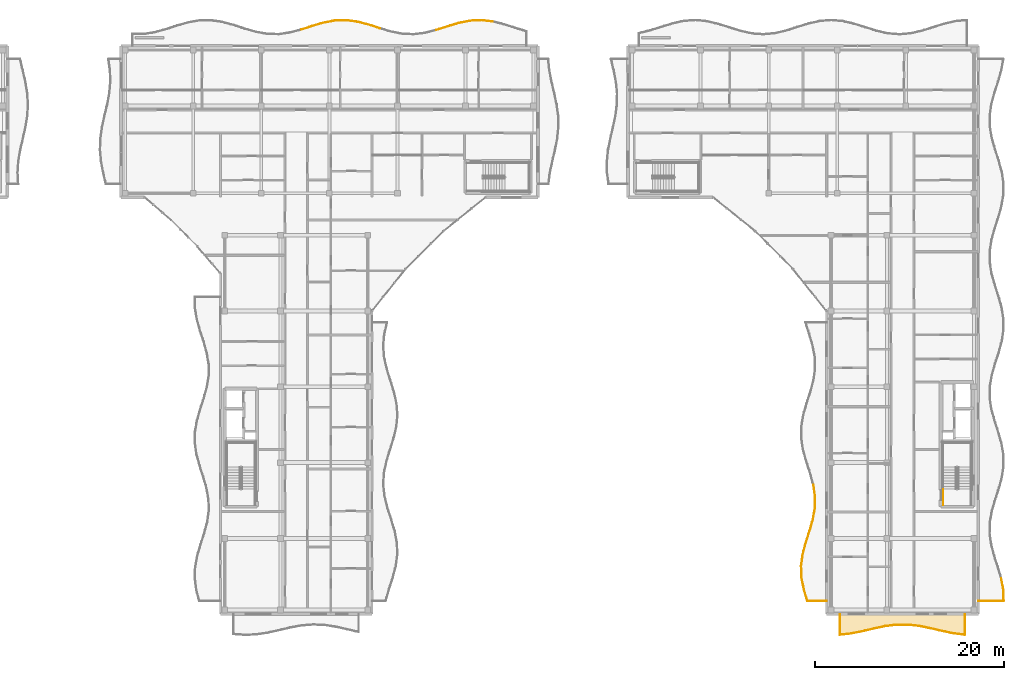
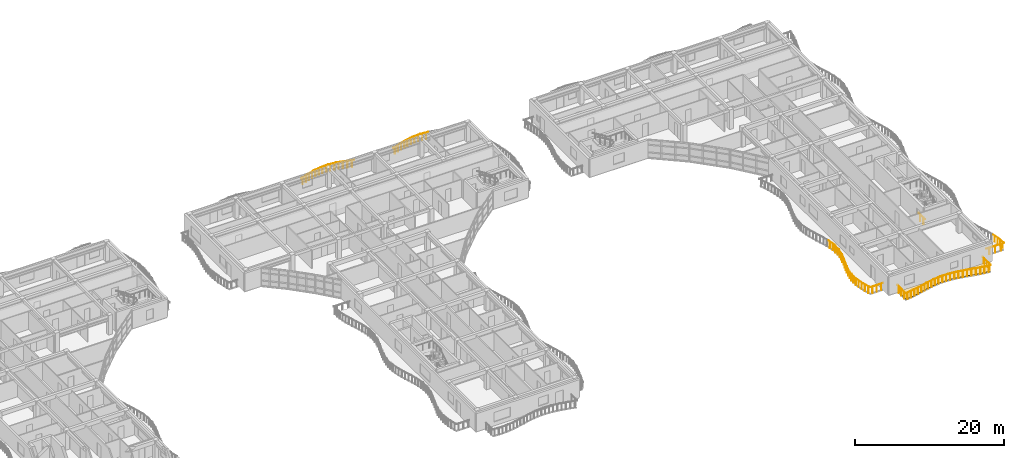
# One storey, part 66 of 72: 40 railings, 1 covering.
"""IFC4 building model written with IfcOpenShell, lengths in metres."""

from ifc_helpers import new_model, si_unit, direction, frame, origin, origin_2d, place, context, subcontext, project, spatial, polyline, circle, outline, extrude, material, layer, layer_set, type_object, element, save


model = new_model("IFC4")

# Units and contexts
model_context = context("Model", 3, precision=1e-05, world=origin(), true_north=direction((0.0, 1.0)))
body_context = subcontext(model_context, "Body", "Model", "MODEL_VIEW")
ifc_project = project(units=[si_unit("LENGTHUNIT", "METRE"), si_unit("AREAUNIT", "SQUARE_METRE"), si_unit("VOLUMEUNIT", "CUBIC_METRE"), si_unit("PLANEANGLEUNIT", "RADIAN"), si_unit("MASSUNIT", "GRAM", prefix="KILO")], contexts=[model_context])

# Site, building, storey
site_placement = place(None, origin())
site = spatial("IfcSite", under=ifc_project, at=site_placement, CompositionType="ELEMENT")
building_placement = place(site_placement, origin())
building = spatial("IfcBuilding", under=site, at=building_placement, Name="Keldmere Railside Commons", CompositionType="ELEMENT")
storey_placement = place(building_placement, frame((0.0, 0.0, 16.9599609375)))
storey = spatial("IfcBuildingStorey", under=building, at=storey_placement, Name="L05", CompositionType="ELEMENT", Elevation=16.9599609375)

# Railings
ifc_material_1 = material(Name="Steel F-24 (S235)", Category="steel")
railing_type_1 = type_object("IfcRailingType", Name="Balcony & Terrace Steel Balustrade 1100", PredefinedType="BALUSTRADE", material=ifc_material_1)
railing_1_placement = place(storey_placement, frame((112.528564453125, 117.701904296875, 0.0)))
element("IfcRailing", 1, at=railing_1_placement, inside=storey, type_object=railing_type_1, Name="GR-1 GRD-L05-2384", PredefinedType="BALUSTRADE", context=body_context, shape_type="SweptSolid", body=[
    extrude(circle(Radius=0.02392578125, at=origin_2d()), frame((0.0, 0.0, 1.076171875), z_axis=(0.951727042699, 0.306945656746, 0.0), x_axis=(-0.306945656746, 0.951727042699, 0.0)), (0.0, 0.0, 1.0), 1.248779296875),
    extrude(circle(Radius=0.02099609375, at=origin_2d()), frame((0.297119140625, 0.095703125, 0.0)), (0.0, 0.0, 1.0), 1.048095703125),
    extrude(circle(Radius=0.02099609375, at=origin_2d()), frame((0.891357421875, 0.28759765625, 0.0)), (0.0, 0.0, 1.0), 1.048095703125),
])
railing_2_placement = place(storey_placement, frame((113.717041015625, 118.085205078125, 0.0)))
element("IfcRailing", 2, at=railing_2_placement, inside=storey, type_object=railing_type_1, Name="GR-1 GRD-L05-2385", PredefinedType="BALUSTRADE", context=body_context, shape_type="SweptSolid", body=[
    extrude(circle(Radius=0.02392578125, at=origin_2d()), frame((0.0, 0.0, 1.076171875), z_axis=(0.959741295165, 0.280885468394, 0.0), x_axis=(-0.280885468394, 0.959741295165, 0.0)), (0.0, 0.0, 1.0), 1.238525390625),
    extrude(circle(Radius=0.02099609375, at=origin_2d()), frame((0.297119140625, 0.0869140625, 0.0)), (0.0, 0.0, 1.0), 1.048095703125),
    extrude(circle(Radius=0.02099609375, at=origin_2d()), frame((0.8916015625, 0.260986328125, 0.0)), (0.0, 0.0, 1.0), 1.048095703125),
])
railing_3_placement = place(storey_placement, frame((114.90576171875, 118.43310546875, 0.0)))
element("IfcRailing", 3, at=railing_3_placement, inside=storey, type_object=railing_type_1, Name="GR-1 GRD-L05-2386", PredefinedType="BALUSTRADE", context=body_context, shape_type="SweptSolid", body=[
    extrude(circle(Radius=0.02392578125, at=origin_2d()), frame((0.0, 0.0, 1.076171875), z_axis=(0.983154533796, 0.182776263986, 0.0), x_axis=(-0.182776263986, 0.983154533796, 0.0)), (0.0, 0.0, 1.0), 1.208740234375),
    extrude(circle(Radius=0.02099609375, at=origin_2d()), frame((0.297119140625, 0.05517578125, 0.0)), (0.0, 0.0, 1.0), 1.048095703125),
    extrude(circle(Radius=0.02099609375, at=origin_2d()), frame((0.891357421875, 0.165771484375, 0.0)), (0.0, 0.0, 1.0), 1.048095703125),
])
railing_4_placement = place(storey_placement, frame((116.09423828125, 118.654052734375, 0.0)))
element("IfcRailing", 4, at=railing_4_placement, inside=storey, type_object=railing_type_1, Name="GR-1 GRD-L05-2387", PredefinedType="BALUSTRADE", context=body_context, shape_type="SweptSolid", body=[
    extrude(circle(Radius=0.02392578125, at=origin_2d()), frame((0.0, 0.0, 1.076171875), z_axis=(0.999550734138, 0.029972151814, 0.0), x_axis=(-0.029972151814, 0.999550734138, 0.0)), (0.0, 0.0, 1.0), 1.189208984375),
    extrude(circle(Radius=0.02099609375, at=origin_2d()), frame((0.297119140625, 0.0087890625, 0.0)), (0.0, 0.0, 1.0), 1.048095703125),
    extrude(circle(Radius=0.02099609375, at=origin_2d()), frame((0.8916015625, 0.02685546875, 0.0)), (0.0, 0.0, 1.0), 1.048095703125),
])
railing_5_placement = place(storey_placement, frame((117.282958984375, 118.689697265625, 0.0)))
element("IfcRailing", 5, at=railing_5_placement, inside=storey, type_object=railing_type_1, Name="GR-1 GRD-L05-2388", PredefinedType="BALUSTRADE", context=body_context, shape_type="SweptSolid", body=[
    extrude(circle(Radius=0.02392578125, at=origin_2d()), frame((0.0, 0.0, 1.076171875), z_axis=(0.991176255735, -0.1325504812, 0.0), x_axis=(0.1325504812, 0.991176255735, 0.0)), (0.0, 0.0, 1.0), 1.198974609375),
    extrude(circle(Radius=0.02099609375, at=origin_2d()), frame((0.297119140625, -0.039794921875, 0.0)), (0.0, 0.0, 1.0), 1.048095703125),
    extrude(circle(Radius=0.02099609375, at=origin_2d()), frame((0.891357421875, -0.119140625, 0.0)), (0.0, 0.0, 1.0), 1.048095703125),
])
railing_6_placement = place(storey_placement, frame((118.471435546875, 118.53076171875, 0.0)))
element("IfcRailing", 6, at=railing_6_placement, inside=storey, type_object=railing_type_1, Name="GR-1 GRD-L05-2389", PredefinedType="BALUSTRADE", context=body_context, shape_type="SweptSolid", body=[
    extrude(circle(Radius=0.02392578125, at=origin_2d()), frame((0.0, 0.0, 1.076171875), z_axis=(0.967321182158, -0.253554196474, 0.0), x_axis=(0.253554196474, 0.967321182158, 0.0)), (0.0, 0.0, 1.0), 1.228515625),
    extrude(circle(Radius=0.02099609375, at=origin_2d()), frame((0.297119140625, -0.077880859375, 0.0)), (0.0, 0.0, 1.0), 1.048095703125),
    extrude(circle(Radius=0.02099609375, at=origin_2d()), frame((0.891357421875, -0.233642578125, 0.0)), (0.0, 0.0, 1.0), 1.048095703125),
])
railing_7_placement = place(storey_placement, frame((119.659912109375, 118.21923828125, 0.0)))
element("IfcRailing", 7, at=railing_7_placement, inside=storey, type_object=railing_type_1, Name="GR-1 GRD-L05-2390", PredefinedType="BALUSTRADE", context=body_context, shape_type="SweptSolid", body=[
    extrude(circle(Radius=0.02392578125, at=origin_2d()), frame((0.0, 0.0, 1.076171875), z_axis=(0.951973620287, -0.306180055323, 0.0), x_axis=(0.306180055323, 0.951973620287, 0.0)), (0.0, 0.0, 1.0), 1.248779296875),
    extrude(circle(Radius=0.02099609375, at=origin_2d()), frame((0.297119140625, -0.095703125, 0.0)), (0.0, 0.0, 1.0), 1.048095703125),
    extrude(circle(Radius=0.02099609375, at=origin_2d()), frame((0.8916015625, -0.28662109375, 0.0)), (0.0, 0.0, 1.0), 1.048095703125),
])
railing_8_placement = place(storey_placement, frame((126.79150390625, 117.659912109375, 0.0)))
element("IfcRailing", 8, at=railing_8_placement, inside=storey, type_object=railing_type_1, Name="GR-1 GRD-L05-2396", PredefinedType="BALUSTRADE", context=body_context, shape_type="SweptSolid", body=[
    extrude(circle(Radius=0.02392578125, at=origin_2d()), frame((0.0, 0.0, 1.076171875), z_axis=(0.952240001722, 0.305350583954, 0.0), x_axis=(-0.305350583954, 0.952240001722, 0.0)), (0.0, 0.0, 1.0), 1.248046875),
    extrude(circle(Radius=0.02099609375, at=origin_2d()), frame((0.297119140625, 0.09521484375, 0.0)), (0.0, 0.0, 1.0), 1.048095703125),
    extrude(circle(Radius=0.02099609375, at=origin_2d()), frame((0.891357421875, 0.285888671875, 0.0)), (0.0, 0.0, 1.0), 1.048095703125),
])
railing_9_placement = place(storey_placement, frame((127.97998046875, 118.041015625, 0.0)))
element("IfcRailing", 9, at=railing_9_placement, inside=storey, type_object=railing_type_1, Name="GR-1 GRD-L05-2397", PredefinedType="BALUSTRADE", context=body_context, shape_type="SweptSolid", body=[
    extrude(circle(Radius=0.02392578125, at=origin_2d()), frame((0.0, 0.0, 1.076171875), z_axis=(0.957755875859, 0.287582479052, 0.0), x_axis=(-0.287582479052, 0.957755875859, 0.0)), (0.0, 0.0, 1.0), 1.2412109375),
    extrude(circle(Radius=0.02099609375, at=origin_2d()), frame((0.297119140625, 0.08935546875, 0.0)), (0.0, 0.0, 1.0), 1.048095703125),
    extrude(circle(Radius=0.02099609375, at=origin_2d()), frame((0.8916015625, 0.267578125, 0.0)), (0.0, 0.0, 1.0), 1.048095703125),
])
railing_10_placement = place(storey_placement, frame((129.168701171875, 118.39794921875, 0.0)))
element("IfcRailing", 10, at=railing_10_placement, inside=storey, type_object=railing_type_1, Name="GR-1 GRD-L05-2398", PredefinedType="BALUSTRADE", context=body_context, shape_type="SweptSolid", body=[
    extrude(circle(Radius=0.02392578125, at=origin_2d()), frame((0.0, 0.0, 1.076171875), z_axis=(0.980332036679, 0.197355258, 0.0), x_axis=(-0.197355258, 0.980332036679, 0.0)), (0.0, 0.0, 1.0), 1.21240234375),
    extrude(circle(Radius=0.02099609375, at=origin_2d()), frame((0.297119140625, 0.059814453125, 0.0)), (0.0, 0.0, 1.0), 1.048095703125),
    extrude(circle(Radius=0.02099609375, at=origin_2d()), frame((0.891357421875, 0.179443359375, 0.0)), (0.0, 0.0, 1.0), 1.048095703125),
])
railing_11_placement = place(storey_placement, frame((130.357177734375, 118.63720703125, 0.0)))
element("IfcRailing", 11, at=railing_11_placement, inside=storey, type_object=railing_type_1, Name="GR-1 GRD-L05-2399", PredefinedType="BALUSTRADE", context=body_context, shape_type="SweptSolid", body=[
    extrude(circle(Radius=0.02392578125, at=origin_2d()), frame((0.0, 0.0, 1.076171875), z_axis=(0.998786889064, 0.049241752953, 0.0), x_axis=(-0.049241752953, 0.998786889064, 0.0)), (0.0, 0.0, 1.0), 1.18994140625),
    extrude(circle(Radius=0.02099609375, at=origin_2d()), frame((0.297119140625, 0.0146484375, 0.0)), (0.0, 0.0, 1.0), 1.048095703125),
    extrude(circle(Radius=0.02099609375, at=origin_2d()), frame((0.891357421875, 0.0439453125, 0.0)), (0.0, 0.0, 1.0), 1.048095703125),
])
railing_12_placement = place(storey_placement, frame((131.545654296875, 118.69580078125, 0.0)))
element("IfcRailing", 12, at=railing_12_placement, inside=storey, type_object=railing_type_1, Name="GR-1 GRD-L05-2400", PredefinedType="BALUSTRADE", context=body_context, shape_type="SweptSolid", body=[
    extrude(circle(Radius=0.02392578125, at=origin_2d()), frame((0.0, 0.0, 1.076171875), z_axis=(0.993357908065, -0.11506548781, 0.0), x_axis=(0.11506548781, 0.993357908065, 0.0)), (0.0, 0.0, 1.0), 1.19677734375),
    extrude(circle(Radius=0.02099609375, at=origin_2d()), frame((0.297119140625, -0.034423828125, 0.0)), (0.0, 0.0, 1.0), 1.048095703125),
    extrude(circle(Radius=0.02099609375, at=origin_2d()), frame((0.8916015625, -0.103271484375, 0.0)), (0.0, 0.0, 1.0), 1.048095703125),
])
railing_13_placement = place(storey_placement, frame((168.0, 57.39990234375, 0.0)))
element("IfcRailing", 13, at=railing_13_placement, inside=storey, type_object=railing_type_1, Name="GR-1 GRD-L05-3719", PredefinedType="BALUSTRADE", context=body_context, shape_type="SweptSolid", body=[
    extrude(circle(Radius=0.02392578125, at=origin_2d()), frame((0.0, 0.0, 1.076171875), z_axis=(-1.0, 0.0, 0.0), x_axis=(0.0, -1.0, 0.0)), (0.0, 0.0, 1.0), 2.037353515625),
    extrude(circle(Radius=0.02099609375, at=origin_2d()), frame((-0.339599609375, 0.0, 0.0)), (0.0, 0.0, 1.0), 1.048095703125),
    extrude(circle(Radius=0.02099609375, at=origin_2d()), frame((-1.0185546875, 0.0, 0.0)), (0.0, 0.0, 1.0), 1.048095703125),
    extrude(circle(Radius=0.02099609375, at=origin_2d()), frame((-1.69775390625, 0.0, 0.0)), (0.0, 0.0, 1.0), 1.048095703125),
])
railing_14_placement = place(storey_placement, frame((165.962646484375, 57.39990234375, 0.0)))
element("IfcRailing", 14, at=railing_14_placement, inside=storey, type_object=railing_type_1, Name="GR-1 GRD-L05-3720", PredefinedType="BALUSTRADE", context=body_context, shape_type="SweptSolid", body=[
    extrude(circle(Radius=0.02392578125, at=origin_2d()), frame((0.0, 0.0, 1.076171875), z_axis=(-0.287277836254, 0.957847297223, 0.0), x_axis=(-0.957847297223, -0.287277836254, 0.0)), (0.0, 0.0, 1.0), 1.279052734375),
    extrude(circle(Radius=0.02099609375, at=origin_2d()), frame((-0.091796875, 0.30615234375, 0.0)), (0.0, 0.0, 1.0), 1.048095703125),
    extrude(circle(Radius=0.02099609375, at=origin_2d()), frame((-0.275634765625, 0.9189453125, 0.0)), (0.0, 0.0, 1.0), 1.048095703125),
])
railing_15_placement = place(storey_placement, frame((165.59521484375, 58.625, 0.0)))
element("IfcRailing", 15, at=railing_15_placement, inside=storey, type_object=railing_type_1, Name="GR-1 GRD-L05-3721", PredefinedType="BALUSTRADE", context=body_context, shape_type="SweptSolid", body=[
    extrude(circle(Radius=0.02392578125, at=origin_2d()), frame((0.0, 0.0, 1.076171875), z_axis=(-0.192429230734, 0.981310853481, 0.0), x_axis=(-0.981310853481, -0.192429230734, 0.0)), (0.0, 0.0, 1.0), 1.24853515625),
    extrude(circle(Radius=0.02099609375, at=origin_2d()), frame((-0.06005859375, 0.30615234375, 0.0)), (0.0, 0.0, 1.0), 1.048095703125),
    extrude(circle(Radius=0.02099609375, at=origin_2d()), frame((-0.18017578125, 0.9189453125, 0.0)), (0.0, 0.0, 1.0), 1.048095703125),
])
railing_16_placement = place(storey_placement, frame((165.35498046875, 59.85009765625, 0.0)))
element("IfcRailing", 16, at=railing_16_placement, inside=storey, type_object=railing_type_1, Name="GR-1 GRD-L05-3722", PredefinedType="BALUSTRADE", context=body_context, shape_type="SweptSolid", body=[
    extrude(circle(Radius=0.02392578125, at=origin_2d()), frame((0.0, 0.0, 1.076171875), z_axis=(-0.038043000932, 0.999276103027, 0.0), x_axis=(-0.999276103027, -0.038043000932, 0.0)), (0.0, 0.0, 1.0), 1.225830078125),
    extrude(circle(Radius=0.02099609375, at=origin_2d()), frame((-0.01171875, 0.30615234375, 0.0)), (0.0, 0.0, 1.0), 1.048095703125),
    extrude(circle(Radius=0.02099609375, at=origin_2d()), frame((-0.034912109375, 0.918701171875, 0.0)), (0.0, 0.0, 1.0), 1.048095703125),
])
railing_17_placement = place(storey_placement, frame((165.308349609375, 61.074951171875, 0.0)))
element("IfcRailing", 17, at=railing_17_placement, inside=storey, type_object=railing_type_1, Name="GR-1 GRD-L05-3723", PredefinedType="BALUSTRADE", context=body_context, shape_type="SweptSolid", body=[
    extrude(circle(Radius=0.02392578125, at=origin_2d()), frame((0.0, 0.0, 1.076171875), z_axis=(0.12982067171, 0.991537489557, 0.0), x_axis=(-0.991537489557, 0.12982067171, 0.0)), (0.0, 0.0, 1.0), 1.235595703125),
    extrude(circle(Radius=0.02099609375, at=origin_2d()), frame((0.0400390625, 0.30615234375, 0.0)), (0.0, 0.0, 1.0), 1.048095703125),
    extrude(circle(Radius=0.02099609375, at=origin_2d()), frame((0.120361328125, 0.9189453125, 0.0)), (0.0, 0.0, 1.0), 1.048095703125),
])
railing_18_placement = place(storey_placement, frame((165.46875, 62.300048828125, 0.0)))
element("IfcRailing", 18, at=railing_18_placement, inside=storey, type_object=railing_type_1, Name="GR-1 GRD-L05-3724", PredefinedType="BALUSTRADE", context=body_context, shape_type="SweptSolid", body=[
    extrude(circle(Radius=0.02392578125, at=origin_2d()), frame((0.0, 0.0, 1.076171875), z_axis=(0.254626126361, 0.967039573014, 0.0), x_axis=(-0.967039573014, 0.254626126361, 0.0)), (0.0, 0.0, 1.0), 1.2666015625),
    extrude(circle(Radius=0.02099609375, at=origin_2d()), frame((0.08056640625, 0.30615234375, 0.0)), (0.0, 0.0, 1.0), 1.048095703125),
    extrude(circle(Radius=0.02099609375, at=origin_2d()), frame((0.241943359375, 0.918701171875, 0.0)), (0.0, 0.0, 1.0), 1.048095703125),
])
railing_19_placement = place(storey_placement, frame((165.791259765625, 63.52490234375, 0.0)))
element("IfcRailing", 19, at=railing_19_placement, inside=storey, type_object=railing_type_1, Name="GR-1 GRD-L05-3725", PredefinedType="BALUSTRADE", context=body_context, shape_type="SweptSolid", body=[
    extrude(circle(Radius=0.02392578125, at=origin_2d()), frame((0.0, 0.0, 1.076171875), z_axis=(0.30653719203, 0.951858681687, 0.0), x_axis=(-0.951858681687, 0.30653719203, 0.0)), (0.0, 0.0, 1.0), 1.287109375),
    extrude(circle(Radius=0.02099609375, at=origin_2d()), frame((0.0986328125, 0.30615234375, 0.0)), (0.0, 0.0, 1.0), 1.048095703125),
    extrude(circle(Radius=0.02099609375, at=origin_2d()), frame((0.2958984375, 0.9189453125, 0.0)), (0.0, 0.0, 1.0), 1.048095703125),
])
railing_20_placement = place(storey_placement, frame((166.185791015625, 64.75, 0.0)))
element("IfcRailing", 20, at=railing_20_placement, inside=storey, type_object=railing_type_1, Name="GR-1 GRD-L05-3726", PredefinedType="BALUSTRADE", context=body_context, shape_type="SweptSolid", body=[
    extrude(circle(Radius=0.02392578125, at=origin_2d()), frame((0.0, 0.0, 1.076171875), z_axis=(0.279720803073, 0.960081388387, 0.0), x_axis=(-0.960081388387, 0.279720803073, 0.0)), (0.0, 0.0, 1.0), 1.276123046875),
    extrude(circle(Radius=0.02099609375, at=origin_2d()), frame((0.08935546875, 0.30615234375, 0.0)), (0.0, 0.0, 1.0), 1.048095703125),
    extrude(circle(Radius=0.02099609375, at=origin_2d()), frame((0.267578125, 0.9189453125, 0.0)), (0.0, 0.0, 1.0), 1.048095703125),
])
railing_21_placement = place(storey_placement, frame((166.542724609375, 65.97509765625, 0.0)))
element("IfcRailing", 21, at=railing_21_placement, inside=storey, type_object=railing_type_1, Name="GR-1 GRD-L05-3727", PredefinedType="BALUSTRADE", context=body_context, shape_type="SweptSolid", body=[
    extrude(circle(Radius=0.02392578125, at=origin_2d()), frame((0.0, 0.0, 1.076171875), z_axis=(0.176191278024, 0.984355948602, 0.0), x_axis=(-0.984355948602, 0.176191278024, 0.0)), (0.0, 0.0, 1.0), 1.244384765625),
    extrude(circle(Radius=0.02099609375, at=origin_2d()), frame((0.0546875, 0.30615234375, 0.0)), (0.0, 0.0, 1.0), 1.048095703125),
    extrude(circle(Radius=0.02099609375, at=origin_2d()), frame((0.16455078125, 0.918701171875, 0.0)), (0.0, 0.0, 1.0), 1.048095703125),
])
railing_22_placement = place(storey_placement, frame((166.761962890625, 67.199951171875, 0.0)))
element("IfcRailing", 22, at=railing_22_placement, inside=storey, type_object=railing_type_1, Name="GR-1 GRD-L05-3728", PredefinedType="BALUSTRADE", context=body_context, shape_type="SweptSolid", body=[
    extrude(circle(Radius=0.02392578125, at=origin_2d()), frame((0.0, 0.0, 1.076171875), z_axis=(0.016936589893, 0.999856565675, 0.0), x_axis=(-0.999856565675, 0.016936589893, 0.0)), (0.0, 0.0, 1.0), 1.225341796875),
    extrude(circle(Radius=0.02099609375, at=origin_2d()), frame((0.005126953125, 0.30615234375, 0.0)), (0.0, 0.0, 1.0), 1.048095703125),
    extrude(circle(Radius=0.02099609375, at=origin_2d()), frame((0.015625, 0.9189453125, 0.0)), (0.0, 0.0, 1.0), 1.048095703125),
])
railing_23_placement = place(storey_placement, frame((166.78271484375, 68.425048828125, 0.0)))
element("IfcRailing", 23, at=railing_23_placement, inside=storey, type_object=railing_type_1, Name="GR-1 GRD-L05-3729", PredefinedType="BALUSTRADE", context=body_context, shape_type="SweptSolid", body=[
    extrude(circle(Radius=0.02392578125, at=origin_2d()), frame((0.0, 0.0, 1.076171875), z_axis=(-0.14823442163, 0.988952251751, 0.0), x_axis=(-0.988952251751, -0.14823442163, 0.0)), (0.0, 0.0, 1.0), 1.238525390625),
    extrude(circle(Radius=0.02099609375, at=origin_2d()), frame((-0.0458984375, 0.30615234375, 0.0)), (0.0, 0.0, 1.0), 1.048095703125),
    extrude(circle(Radius=0.02099609375, at=origin_2d()), frame((-0.1376953125, 0.918701171875, 0.0)), (0.0, 0.0, 1.0), 1.048095703125),
])
railing_24_placement = place(storey_placement, frame((184.0, 57.39990234375, 0.0)))
element("IfcRailing", 24, at=railing_24_placement, inside=storey, type_object=railing_type_1, Name="GR-1 GRD-L05-3745", PredefinedType="BALUSTRADE", context=body_context, shape_type="SweptSolid", body=[
    extrude(circle(Radius=0.02392578125, at=origin_2d()), frame((0.0, 0.0, 1.076171875), z_axis=(1.0, 0.0, 0.0), x_axis=(0.0, 1.0, 0.0)), (0.0, 0.0, 1.0), 2.691162109375),
    extrude(circle(Radius=0.02099609375, at=origin_2d()), frame((0.448486328125, 0.0, 0.0)), (0.0, 0.0, 1.0), 1.048095703125),
    extrude(circle(Radius=0.02099609375, at=origin_2d()), frame((1.345703125, 0.0, 0.0)), (0.0, 0.0, 1.0), 1.048095703125),
    extrude(circle(Radius=0.02099609375, at=origin_2d()), frame((2.24267578125, 0.0, 0.0)), (0.0, 0.0, 1.0), 1.048095703125),
])
railing_25_placement = place(storey_placement, frame((186.691162109375, 57.39990234375, 0.0)))
element("IfcRailing", 25, at=railing_25_placement, inside=storey, type_object=railing_type_1, Name="GR-1 GRD-L05-3746", PredefinedType="BALUSTRADE", context=body_context, shape_type="SweptSolid", body=[
    extrude(circle(Radius=0.02392578125, at=origin_2d()), frame((0.0, 0.0, 1.076171875), z_axis=(-0.034187296, 0.999415443543, 0.0), x_axis=(-0.999415443543, -0.034187296, 0.0)), (0.0, 0.0, 1.0), 1.192626953125),
    extrude(circle(Radius=0.02099609375, at=origin_2d()), frame((-0.01025390625, 0.2978515625, 0.0)), (0.0, 0.0, 1.0), 1.048095703125),
    extrude(circle(Radius=0.02099609375, at=origin_2d()), frame((-0.030517578125, 0.89404296875, 0.0)), (0.0, 0.0, 1.0), 1.048095703125),
])
railing_26_placement = place(storey_placement, frame((186.650390625, 58.591796875, 0.0)))
element("IfcRailing", 26, at=railing_26_placement, inside=storey, type_object=railing_type_1, Name="GR-1 GRD-L05-3747", PredefinedType="BALUSTRADE", context=body_context, shape_type="SweptSolid", body=[
    extrude(circle(Radius=0.02392578125, at=origin_2d()), frame((0.0, 0.0, 1.076171875), z_axis=(-0.186427467445, 0.982468726923, 0.0), x_axis=(-0.982468726923, -0.186427467445, 0.0)), (0.0, 0.0, 1.0), 1.212646484375),
    extrude(circle(Radius=0.02099609375, at=origin_2d()), frame((-0.056640625, 0.2978515625, 0.0)), (0.0, 0.0, 1.0), 1.048095703125),
    extrude(circle(Radius=0.02099609375, at=origin_2d()), frame((-0.16943359375, 0.8935546875, 0.0)), (0.0, 0.0, 1.0), 1.048095703125),
])
railing_27_placement = place(storey_placement, frame((169.39990234375, 56.0, 0.0)))
element("IfcRailing", 27, at=railing_27_placement, inside=storey, type_object=railing_type_1, Name="GR-1 GRD-L05-3808", PredefinedType="BALUSTRADE", context=body_context, shape_type="SweptSolid", body=[
    extrude(circle(Radius=0.02392578125, at=origin_2d()), frame((0.0, 0.0, 1.076171875), z_axis=(0.0, -1.0, 0.0), x_axis=(1.0, 0.0, 0.0)), (0.0, 0.0, 1.0), 2.183349609375),
    extrude(circle(Radius=0.02099609375, at=origin_2d()), frame((0.0, -0.36376953125, 0.0)), (0.0, 0.0, 1.0), 1.048095703125),
    extrude(circle(Radius=0.02099609375, at=origin_2d()), frame((0.0, -1.091796875, 0.0)), (0.0, 0.0, 1.0), 1.048095703125),
    extrude(circle(Radius=0.02099609375, at=origin_2d()), frame((0.0, -1.8193359375, 0.0)), (0.0, 0.0, 1.0), 1.048095703125),
])
railing_28_placement = place(storey_placement, frame((169.39990234375, 53.816650390625, 0.0)))
element("IfcRailing", 28, at=railing_28_placement, inside=storey, type_object=railing_type_1, Name="GR-1 GRD-L05-3809", PredefinedType="BALUSTRADE", context=body_context, shape_type="SweptSolid", body=[
    extrude(circle(Radius=0.02392578125, at=origin_2d()), frame((0.0, 0.0, 1.076171875), z_axis=(0.993414244878, 0.114578087235, 0.0), x_axis=(-0.114578087235, 0.993414244878, 0.0)), (0.0, 0.0, 1.0), 1.208251953125),
    extrude(circle(Radius=0.02099609375, at=origin_2d()), frame((0.300048828125, 0.03466796875, 0.0)), (0.0, 0.0, 1.0), 1.048095703125),
    extrude(circle(Radius=0.02099609375, at=origin_2d()), frame((0.900146484375, 0.103759765625, 0.0)), (0.0, 0.0, 1.0), 1.048095703125),
])
railing_29_placement = place(storey_placement, frame((170.60009765625, 53.955078125, 0.0)))
element("IfcRailing", 29, at=railing_29_placement, inside=storey, type_object=railing_type_1, Name="GR-1 GRD-L05-3810", PredefinedType="BALUSTRADE", context=body_context, shape_type="SweptSolid", body=[
    extrude(circle(Radius=0.02392578125, at=origin_2d()), frame((0.0, 0.0, 1.076171875), z_axis=(0.979923460188, 0.199374050903, 0.0), x_axis=(-0.199374050903, 0.979923460188, 0.0)), (0.0, 0.0, 1.0), 1.224609375),
    extrude(circle(Radius=0.02099609375, at=origin_2d()), frame((0.300048828125, 0.06103515625, 0.0)), (0.0, 0.0, 1.0), 1.048095703125),
    extrude(circle(Radius=0.02099609375, at=origin_2d()), frame((0.89990234375, 0.18310546875, 0.0)), (0.0, 0.0, 1.0), 1.048095703125),
])
railing_30_placement = place(storey_placement, frame((171.800048828125, 54.19921875, 0.0)))
element("IfcRailing", 30, at=railing_30_placement, inside=storey, type_object=railing_type_1, Name="GR-1 GRD-L05-3811", PredefinedType="BALUSTRADE", context=body_context, shape_type="SweptSolid", body=[
    extrude(circle(Radius=0.02392578125, at=origin_2d()), frame((0.0, 0.0, 1.076171875), z_axis=(0.97299493391, 0.230826468553, 0.0), x_axis=(-0.230826468553, 0.97299493391, 0.0)), (0.0, 0.0, 1.0), 1.233154296875),
    extrude(circle(Radius=0.02099609375, at=origin_2d()), frame((0.300048828125, 0.0712890625, 0.0)), (0.0, 0.0, 1.0), 1.048095703125),
    extrude(circle(Radius=0.02099609375, at=origin_2d()), frame((0.89990234375, 0.21337890625, 0.0)), (0.0, 0.0, 1.0), 1.048095703125),
])
railing_31_placement = place(storey_placement, frame((173.0, 54.48388671875, 0.0)))
element("IfcRailing", 31, at=railing_31_placement, inside=storey, type_object=railing_type_1, Name="GR-1 GRD-L05-3812", PredefinedType="BALUSTRADE", context=body_context, shape_type="SweptSolid", body=[
    extrude(circle(Radius=0.02392578125, at=origin_2d()), frame((0.0, 0.0, 1.076171875), z_axis=(0.979177195286, 0.20300743886, 0.0), x_axis=(-0.20300743886, 0.979177195286, 0.0)), (0.0, 0.0, 1.0), 1.2255859375),
    extrude(circle(Radius=0.02099609375, at=origin_2d()), frame((0.300048828125, 0.062255859375, 0.0)), (0.0, 0.0, 1.0), 1.048095703125),
    extrude(circle(Radius=0.02099609375, at=origin_2d()), frame((0.89990234375, 0.1865234375, 0.0)), (0.0, 0.0, 1.0), 1.048095703125),
])
railing_32_placement = place(storey_placement, frame((174.199951171875, 54.732666015625, 0.0)))
element("IfcRailing", 32, at=railing_32_placement, inside=storey, type_object=railing_type_1, Name="GR-1 GRD-L05-3813", PredefinedType="BALUSTRADE", context=body_context, shape_type="SweptSolid", body=[
    extrude(circle(Radius=0.02392578125, at=origin_2d()), frame((0.0, 0.0, 1.076171875), z_axis=(0.992655345296, 0.120976714513, 0.0), x_axis=(-0.120976714513, 0.992655345296, 0.0)), (0.0, 0.0, 1.0), 1.208740234375),
    extrude(circle(Radius=0.02099609375, at=origin_2d()), frame((0.300048828125, 0.03662109375, 0.0)), (0.0, 0.0, 1.0), 1.048095703125),
    extrude(circle(Radius=0.02099609375, at=origin_2d()), frame((0.89990234375, 0.109619140625, 0.0)), (0.0, 0.0, 1.0), 1.048095703125),
])
railing_33_placement = place(storey_placement, frame((175.39990234375, 54.87890625, 0.0)))
element("IfcRailing", 33, at=railing_33_placement, inside=storey, type_object=railing_type_1, Name="GR-1 GRD-L05-3814", PredefinedType="BALUSTRADE", context=body_context, shape_type="SweptSolid", body=[
    extrude(circle(Radius=0.02392578125, at=origin_2d()), frame((0.0, 0.0, 1.076171875), z_axis=(0.999993296727, 0.003661488881, 0.0), x_axis=(-0.003661488881, 0.999993296727, 0.0)), (0.0, 0.0, 1.0), 1.2001953125),
    extrude(circle(Radius=0.02099609375, at=origin_2d()), frame((0.300048828125, 0.0009765625, 0.0)), (0.0, 0.0, 1.0), 1.048095703125),
    extrude(circle(Radius=0.02099609375, at=origin_2d()), frame((0.900146484375, 0.00341796875, 0.0)), (0.0, 0.0, 1.0), 1.048095703125),
])
railing_34_placement = place(storey_placement, frame((176.60009765625, 54.88330078125, 0.0)))
element("IfcRailing", 34, at=railing_34_placement, inside=storey, type_object=railing_type_1, Name="GR-1 GRD-L05-3815", PredefinedType="BALUSTRADE", context=body_context, shape_type="SweptSolid", body=[
    extrude(circle(Radius=0.02392578125, at=origin_2d()), frame((0.0, 0.0, 1.076171875), z_axis=(0.993434582055, -0.114401622267, 0.0), x_axis=(0.114401622267, 0.993434582055, 0.0)), (0.0, 0.0, 1.0), 1.207763671875),
    extrude(circle(Radius=0.02099609375, at=origin_2d()), frame((0.300048828125, -0.03466796875, 0.0)), (0.0, 0.0, 1.0), 1.048095703125),
    extrude(circle(Radius=0.02099609375, at=origin_2d()), frame((0.89990234375, -0.103515625, 0.0)), (0.0, 0.0, 1.0), 1.048095703125),
])
railing_35_placement = place(storey_placement, frame((177.800048828125, 54.7451171875, 0.0)))
element("IfcRailing", 35, at=railing_35_placement, inside=storey, type_object=railing_type_1, Name="GR-1 GRD-L05-3816", PredefinedType="BALUSTRADE", context=body_context, shape_type="SweptSolid", body=[
    extrude(circle(Radius=0.02392578125, at=origin_2d()), frame((0.0, 0.0, 1.076171875), z_axis=(0.979884491067, -0.199565488415, 0.0), x_axis=(0.199565488415, 0.979884491067, 0.0)), (0.0, 0.0, 1.0), 1.224609375),
    extrude(circle(Radius=0.02099609375, at=origin_2d()), frame((0.300048828125, -0.06103515625, 0.0)), (0.0, 0.0, 1.0), 1.048095703125),
    extrude(circle(Radius=0.02099609375, at=origin_2d()), frame((0.89990234375, -0.183349609375, 0.0)), (0.0, 0.0, 1.0), 1.048095703125),
])
railing_36_placement = place(storey_placement, frame((179.0, 54.500732421875, 0.0)))
element("IfcRailing", 36, at=railing_36_placement, inside=storey, type_object=railing_type_1, Name="GR-1 GRD-L05-3817", PredefinedType="BALUSTRADE", context=body_context, shape_type="SweptSolid", body=[
    extrude(circle(Radius=0.02392578125, at=origin_2d()), frame((0.0, 0.0, 1.076171875), z_axis=(0.97299493391, -0.230826468553, 0.0), x_axis=(0.230826468553, 0.97299493391, 0.0)), (0.0, 0.0, 1.0), 1.233154296875),
    extrude(circle(Radius=0.02099609375, at=origin_2d()), frame((0.300048828125, -0.0712890625, 0.0)), (0.0, 0.0, 1.0), 1.048095703125),
    extrude(circle(Radius=0.02099609375, at=origin_2d()), frame((0.89990234375, -0.21337890625, 0.0)), (0.0, 0.0, 1.0), 1.048095703125),
])
railing_37_placement = place(storey_placement, frame((180.199951171875, 54.216064453125, 0.0)))
element("IfcRailing", 37, at=railing_37_placement, inside=storey, type_object=railing_type_1, Name="GR-1 GRD-L05-3818", PredefinedType="BALUSTRADE", context=body_context, shape_type="SweptSolid", body=[
    extrude(circle(Radius=0.02392578125, at=origin_2d()), frame((0.0, 0.0, 1.076171875), z_axis=(0.979177195286, -0.20300743886, 0.0), x_axis=(0.20300743886, 0.979177195286, 0.0)), (0.0, 0.0, 1.0), 1.2255859375),
    extrude(circle(Radius=0.02099609375, at=origin_2d()), frame((0.300048828125, -0.062255859375, 0.0)), (0.0, 0.0, 1.0), 1.048095703125),
    extrude(circle(Radius=0.02099609375, at=origin_2d()), frame((0.89990234375, -0.1865234375, 0.0)), (0.0, 0.0, 1.0), 1.048095703125),
])
railing_38_placement = place(storey_placement, frame((181.39990234375, 53.96728515625, 0.0)))
element("IfcRailing", 38, at=railing_38_placement, inside=storey, type_object=railing_type_1, Name="GR-1 GRD-L05-3819", PredefinedType="BALUSTRADE", context=body_context, shape_type="SweptSolid", body=[
    extrude(circle(Radius=0.02392578125, at=origin_2d()), frame((0.0, 0.0, 1.076171875), z_axis=(0.992658300232, -0.120952465793, 0.0), x_axis=(0.120952465793, 0.992658300232, 0.0)), (0.0, 0.0, 1.0), 1.208984375),
    extrude(circle(Radius=0.02099609375, at=origin_2d()), frame((0.300048828125, -0.03662109375, 0.0)), (0.0, 0.0, 1.0), 1.048095703125),
    extrude(circle(Radius=0.02099609375, at=origin_2d()), frame((0.900146484375, -0.109619140625, 0.0)), (0.0, 0.0, 1.0), 1.048095703125),
])
railing_39_placement = place(storey_placement, frame((182.60009765625, 53.821044921875, 0.0)))
element("IfcRailing", 39, at=railing_39_placement, inside=storey, type_object=railing_type_1, Name="GR-1 GRD-L05-3820", PredefinedType="BALUSTRADE", context=body_context, shape_type="SweptSolid", body=[
    extrude(circle(Radius=0.02392578125, at=origin_2d()), frame((0.0, 0.0, 1.076171875), z_axis=(0.0, 1.0, 0.0), x_axis=(-1.0, 0.0, 0.0)), (0.0, 0.0, 1.0), 2.178955078125),
    extrude(circle(Radius=0.02099609375, at=origin_2d()), frame((0.0, 0.36328125, 0.0)), (0.0, 0.0, 1.0), 1.048095703125),
    extrude(circle(Radius=0.02099609375, at=origin_2d()), frame((0.0, 1.08935546875, 0.0)), (0.0, 0.0, 1.0), 1.048095703125),
    extrude(circle(Radius=0.02099609375, at=origin_2d()), frame((0.0, 1.81591796875, 0.0)), (0.0, 0.0, 1.0), 1.048095703125),
])
railing_type_2 = type_object("IfcRailingType", Name="Stair Well Steel Guardrail 1100", PredefinedType="BALUSTRADE", material=ifc_material_1)
railing_40_placement = place(storey_placement, frame((180.300048828125, 67.5, 0.0)))
element("IfcRailing", 40, at=railing_40_placement, inside=storey, type_object=railing_type_2, Name="L05 ST-A1 stair guard 9", PredefinedType="BALUSTRADE", context=body_context, shape_type="SweptSolid", body=[
    extrude(circle(Radius=0.02392578125, at=origin_2d()), frame((0.0, 0.0, 1.076171875), z_axis=(0.0, 1.0, 0.0), x_axis=(-1.0, 0.0, 0.0)), (0.0, 0.0, 1.0), 1.699951171875),
    extrude(circle(Radius=0.02099609375, at=origin_2d()), frame((0.0, 0.425048828125, 0.0)), (0.0, 0.0, 1.0), 1.048095703125),
    extrude(circle(Radius=0.02099609375, at=origin_2d()), frame((0.0, 1.27490234375, 0.0)), (0.0, 0.0, 1.0), 1.048095703125),
])

# Covering
ifc_material_2 = material(Name="White Precast Concrete C35/45", Category="concrete")
ifc_layer = layer(ifc_material_2, 0.044921875, Name="White Architectural Balcony Ribbon Cladding 45")
ifc_layer_set = layer_set([ifc_layer], Name="White Precast Concrete C35/45")
covering_type = type_object("IfcCoveringType", Name="White Architectural Balcony Ribbon Cladding 45", PredefinedType="FLOORING", material=ifc_layer_set)
covering_placement = place(storey_placement, origin())
element("IfcCovering", 41, at=covering_placement, inside=storey, type_object=covering_type, Name="CLG-WB A L05 S White Balcony Ribbon", PredefinedType="FLOORING", context=body_context, shape_type="SweptSolid", body=[
    extrude(outline(polyline([(170.59375, 53.994384765625), (171.79150390625, 54.23828125), (172.99072265625, 54.522705078125), (172.991943359375, 54.523193359375), (174.19189453125, 54.77197265625), (174.1953125, 54.7724609375), (175.395263671875, 54.918701171875), (175.39990234375, 54.9189453125), (176.599853515625, 54.92333984375), (176.6044921875, 54.923095703125), (177.8046875, 54.78466796875), (177.80810546875, 54.7841796875), (179.008056640625, 54.539794921875), (179.00927734375, 54.53955078125), (180.208740234375, 54.255126953125), (181.406494140625, 54.0068359375), (182.56005859375, 53.8662109375), (182.56005859375, 55.9599609375), (169.43994140625, 55.9599609375), (169.43994140625, 53.861572265625), (170.59375, 53.994384765625)])), origin(), (0.0, 0.0, 1.0), 0.044921875),
])

save(model, "model.ifc")
